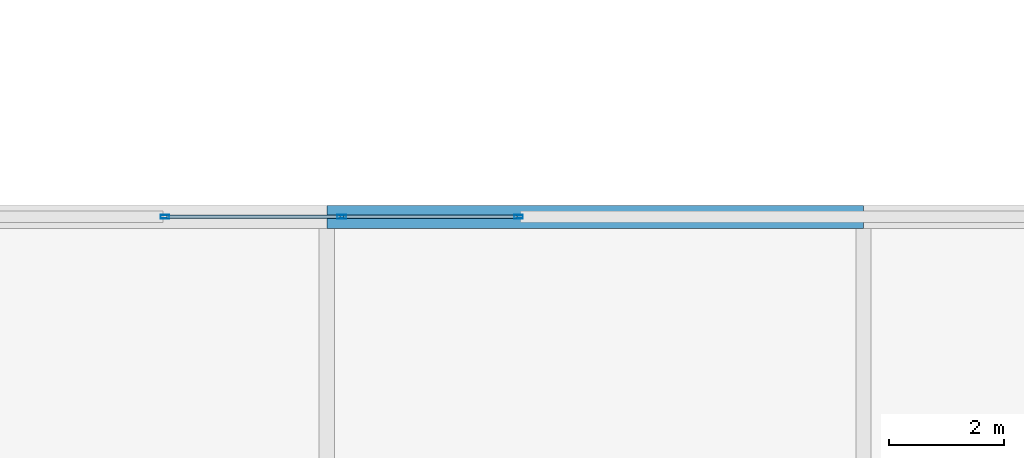
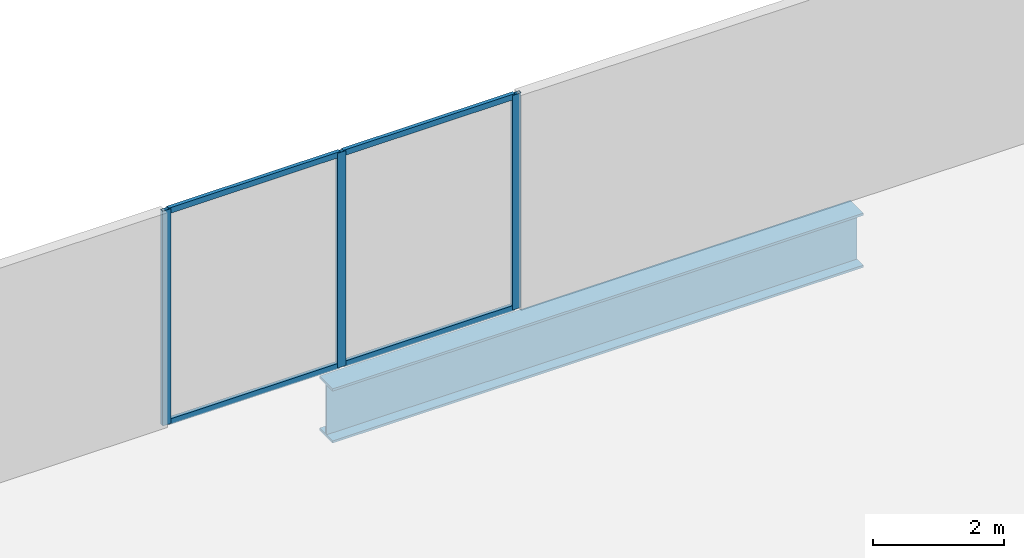
# One storey, part 23 of 51: 7 members, 1 beam, 1 element without a shape of its own.
"""IFC4 building model written with IfcOpenShell, lengths in metres."""

from ifc_helpers import new_model, si_unit, direction, frame, origin, origin_2d, place, context, subcontext, project, spatial, hollow_rectangle, i_section, extrude, material, material_profile, profile_set, type_object, element, aggregate, save


model = new_model("IFC4")

# Units and contexts
model_context = context("Model", 3, precision=1e-05, world=origin(), true_north=direction((0.0, 1.0)))
body_context = subcontext(model_context, "Body", "Model", "MODEL_VIEW")
ifc_project = project(units=[si_unit("LENGTHUNIT", "METRE"), si_unit("AREAUNIT", "SQUARE_METRE"), si_unit("VOLUMEUNIT", "CUBIC_METRE"), si_unit("PLANEANGLEUNIT", "RADIAN"), si_unit("MASSUNIT", "GRAM", prefix="KILO")], contexts=[model_context])

# Site, building, storey
site_placement = place(None, origin())
site = spatial("IfcSite", under=ifc_project, at=site_placement, CompositionType="ELEMENT")
building_placement = place(site_placement, origin())
building = spatial("IfcBuilding", under=site, at=building_placement, Name="Tashvorn Skyway Center", CompositionType="ELEMENT")
storey_placement = place(building_placement, frame((0.0, 0.0, 251.39990234375)))
storey = spatial("IfcBuildingStorey", under=building, at=storey_placement, Name="L68", CompositionType="ELEMENT", Elevation=251.39990234375)

# Beam
ifc_material_1 = material(Name="Steel ASTM A913 Grade 65", Category="steel")
ifc_material_profile_1 = material_profile(ifc_material_1, i_section(OverallWidth=0.40087890625, OverallDepth=1.010986328125, WebThickness=0.023681640625, FlangeThickness=0.0419921875, at=origin_2d()), Name="W40X297")
ifc_profile_set_1 = profile_set([ifc_material_profile_1], Name="Steel ASTM A913 Grade 65")
beam_type = type_object("IfcBeamType", Name="BM-BEAM-W40X297", PredefinedType="BEAM", material=ifc_profile_set_1)
beam_placement = place(storey_placement, frame((75.75, 39.89990234375, -0.725341796875), z_axis=(1.0, 0.0, 0.0), x_axis=(0.0, 1.0, 0.0)))
element("IfcBeam", 1, at=beam_placement, inside=storey, type_object=beam_type, Name="Sky-Park Truss 2 Bottom Chord Panel 08", PredefinedType="BEAM", context=body_context, shape_type="SweptSolid", body=[
    extrude(i_section(OverallWidth=0.40087890625, OverallDepth=1.010986328125, WebThickness=0.023681640625, FlangeThickness=0.0419921875, at=origin_2d()), origin(), (0.0, 0.0, 1.0), 9.35009765625),
])

# Curtain wall, members
ifc_material_2 = material(Name="Thermally broken bronze-anodized aluminium 6063-T6", Category="aluminium")
curtain_wall_type = type_object("IfcCurtainWallType", Name="CW-CW-SKY", PredefinedType="NOTDEFINED", material=ifc_material_2)
curtain_wall_placement = place(storey_placement, origin())
curtain_wall = element("IfcCurtainWall", 2, at=curtain_wall_placement, inside=storey, type_object=curtain_wall_type, Name="Sky-Park L68 Bridge North Curtain Wall Glazing Group 2", PredefinedType="NOTDEFINED")
ifc_material_profile_2 = material_profile(ifc_material_2, hollow_rectangle(XDim=0.06494140625, YDim=0.14990234375, WallThickness=0.00390625, at=origin_2d()), Name="ALU-MULL-65x150")
ifc_profile_set_2 = profile_set([ifc_material_profile_2], Name="Thermally broken bronze-anodized aluminium 6063-T6")
member_type_1 = type_object("IfcMemberType", Name="CWM-CW-SKY", PredefinedType="MULLION", material=ifc_profile_set_2)
member_1_placement = place(storey_placement, frame((72.927490234375, 39.89990234375, 0.0), z_axis=(0.0, 0.0, 1.0), x_axis=(0.0, 1.0, 0.0)))
member_1 = element("IfcMember", 3, at=member_1_placement, type_object=member_type_1, Name="CW-SKY mullion 1", PredefinedType="MULLION", context=body_context, shape_type="SweptSolid", body=[
    extrude(hollow_rectangle(XDim=0.06494140625, YDim=0.14990234375, WallThickness=0.00390625, at=origin_2d()), origin(), (0.0, 0.0, 1.0), 4.0),
])
member_2_placement = place(storey_placement, frame((76.010009765625, 39.89990234375, 0.0), z_axis=(0.0, 0.0, 1.0), x_axis=(0.0, 1.0, 0.0)))
member_2 = element("IfcMember", 4, at=member_2_placement, type_object=member_type_1, Name="CW-SKY mullion 2", PredefinedType="MULLION", context=body_context, shape_type="SweptSolid", body=[
    extrude(hollow_rectangle(XDim=0.06494140625, YDim=0.14990234375, WallThickness=0.00390625, at=origin_2d()), origin(), (0.0, 0.0, 1.0), 4.0),
])
member_3_placement = place(storey_placement, frame((79.092529296875, 39.89990234375, 0.0), z_axis=(0.0, 0.0, 1.0), x_axis=(0.0, 1.0, 0.0)))
member_3 = element("IfcMember", 5, at=member_3_placement, type_object=member_type_1, Name="CW-SKY mullion 3", PredefinedType="MULLION", context=body_context, shape_type="SweptSolid", body=[
    extrude(hollow_rectangle(XDim=0.06494140625, YDim=0.14990234375, WallThickness=0.00390625, at=origin_2d()), origin(), (0.0, 0.0, 1.0), 4.0),
])
ifc_material_profile_3 = material_profile(ifc_material_2, hollow_rectangle(XDim=0.06494140625, YDim=0.10498046875, WallThickness=0.00390625, at=origin_2d()), Name="ALU-TRAN-65x105")
ifc_profile_set_3 = profile_set([ifc_material_profile_3], Name="Thermally broken bronze-anodized aluminium 6063-T6")
member_type_2 = type_object("IfcMemberType", Name="CWT-CW-SKY", PredefinedType="USERDEFINED", material=ifc_profile_set_3)
member_4_placement = place(storey_placement, frame((72.9599609375, 39.89990234375, 0.03271484375), z_axis=(1.0, 0.0, 0.0), x_axis=(0.0, 1.0, 0.0)))
member_4 = element("IfcMember", 6, at=member_4_placement, type_object=member_type_2, Name="CW-SKY transom 1.1", ObjectType="TRANSOM", PredefinedType="USERDEFINED", context=body_context, shape_type="SweptSolid", body=[
    extrude(hollow_rectangle(XDim=0.06494140625, YDim=0.10498046875, WallThickness=0.00390625, at=origin_2d()), origin(), (0.0, 0.0, 1.0), 3.017578125),
])
member_5_placement = place(storey_placement, frame((72.9599609375, 39.89990234375, 3.967529296875), z_axis=(1.0, 0.0, 0.0), x_axis=(0.0, 1.0, 0.0)))
member_5 = element("IfcMember", 7, at=member_5_placement, type_object=member_type_2, Name="CW-SKY transom 1.2", ObjectType="TRANSOM", PredefinedType="USERDEFINED", context=body_context, shape_type="SweptSolid", body=[
    extrude(hollow_rectangle(XDim=0.06494140625, YDim=0.10498046875, WallThickness=0.00390625, at=origin_2d()), origin(), (0.0, 0.0, 1.0), 3.017578125),
])
member_6_placement = place(storey_placement, frame((76.04248046875, 39.89990234375, 0.03271484375), z_axis=(1.0, 0.0, 0.0), x_axis=(0.0, 1.0, 0.0)))
member_6 = element("IfcMember", 8, at=member_6_placement, type_object=member_type_2, Name="CW-SKY transom 2.1", ObjectType="TRANSOM", PredefinedType="USERDEFINED", context=body_context, shape_type="SweptSolid", body=[
    extrude(hollow_rectangle(XDim=0.06494140625, YDim=0.10498046875, WallThickness=0.00390625, at=origin_2d()), origin(), (0.0, 0.0, 1.0), 3.017578125),
])
member_7_placement = place(storey_placement, frame((76.04248046875, 39.89990234375, 3.967529296875), z_axis=(1.0, 0.0, 0.0), x_axis=(0.0, 1.0, 0.0)))
member_7 = element("IfcMember", 9, at=member_7_placement, type_object=member_type_2, Name="CW-SKY transom 2.2", ObjectType="TRANSOM", PredefinedType="USERDEFINED", context=body_context, shape_type="SweptSolid", body=[
    extrude(hollow_rectangle(XDim=0.06494140625, YDim=0.10498046875, WallThickness=0.00390625, at=origin_2d()), origin(), (0.0, 0.0, 1.0), 3.017578125),
])
aggregate(curtain_wall, [member_1, member_2, member_3, member_4, member_5, member_6, member_7])

save(model, "model.ifc")
